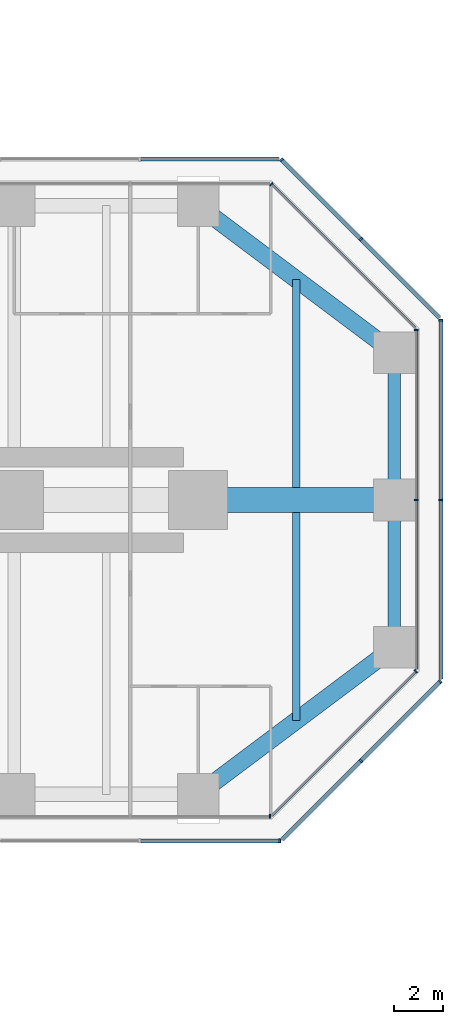
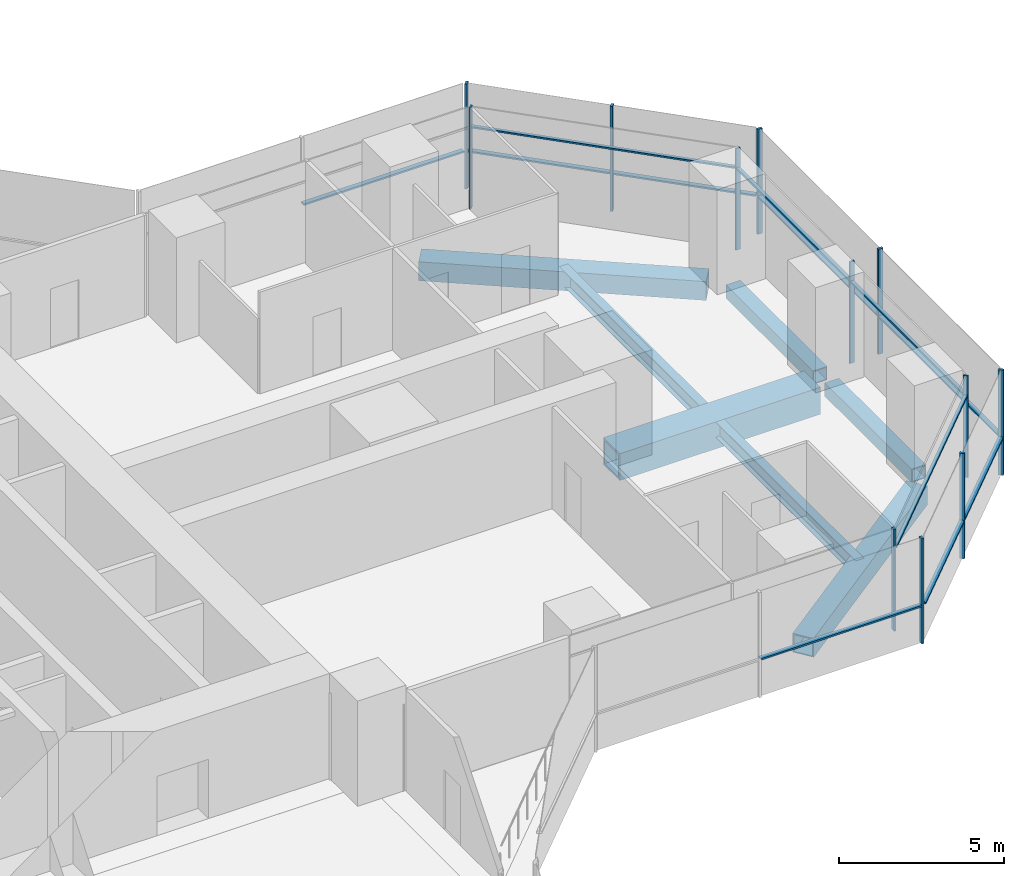
# One storey, part 12 of 21: 24 members, 7 beams, 9 elements without a shape of their own.
"""IFC4 building model written with IfcOpenShell, lengths in metres."""

import ifcopenshell
import ifcopenshell.guid

model = None  # the IFC model being written
_history = None  # IfcOwnerHistory: only IFC2X3 demands one
_inside = {}  # id of a spatial element -> (the spatial element, [elements in it])
_under = {}  # id of a project, library or spatial element -> (it, [spatial elements below it])
_declared = {}  # id of a project -> (the project, [libraries it declares])
_typed = {}  # id of a type object -> (the type object, [elements of that type])
_made_of = {}  # id of a material, layer set ... -> (it, [elements and type objects made of it])


def new_model(schema):
    """Start an empty IFC model of exactly this schema.

    Asked for "IFC4X3", IfcOpenShell would pick the latest addendum, in which some entities
    have other attributes; the version numbers below select the first issue.
    IFC2X3 requires an IfcOwnerHistory on every rooted entity: one is made here for all.
    """
    global model, _history
    if schema == "IFC4X3":
        model = ifcopenshell.file(schema_version=(4, 3, 0, 0))
    else:
        model = ifcopenshell.file(schema=schema)
    _inside.clear()
    _under.clear()
    _declared.clear()
    _typed.clear()
    _made_of.clear()
    _history = None
    if model.schema == "IFC2X3":
        org = make("IfcOrganization", Name="unknown")
        user = make(
            "IfcPersonAndOrganization",
            ThePerson=make("IfcPerson", FamilyName="unknown"),
            TheOrganization=org,
        )
        app = make(
            "IfcApplication",
            ApplicationDeveloper=org,
            Version="unknown",
            ApplicationFullName="unknown",
            ApplicationIdentifier="unknown",
        )
        _history = make(
            "IfcOwnerHistory",
            OwningUser=user,
            OwningApplication=app,
            ChangeAction="ADDED",
            CreationDate=0,
        )
    return model


def make(cls, **values):
    """One entity of the class cls with the attributes given. An attribute that is None is left unset."""
    return model.create_entity(
        cls, **{name: value for name, value in values.items() if value is not None}
    )


def rooted(cls, **values):
    """An entity with a GlobalId (a new one), such as an element, a storey or a relation."""
    return make(cls, GlobalId=ifcopenshell.guid.new(), OwnerHistory=_history, **values)


def si_unit(unit_type, name, prefix=None):
    """IfcSIUnit, for example si_unit("LENGTHUNIT", "METRE", prefix="MILLI")."""
    return make("IfcSIUnit", UnitType=unit_type, Prefix=prefix, Name=name)


def assignment(units):
    """IfcUnitAssignment: the units of a project."""
    return None if units is None else make("IfcUnitAssignment", Units=units)


def point(xyz):
    """IfcCartesianPoint."""
    return None if xyz is None else make("IfcCartesianPoint", Coordinates=xyz)


def direction(xyz):
    """IfcDirection."""
    return None if xyz is None else make("IfcDirection", DirectionRatios=xyz)


def frame(location, z_axis=None, x_axis=None):
    """IfcAxis2Placement3D, a coordinate frame: its origin and axes. An axis left out is left unset."""
    return make(
        "IfcAxis2Placement3D",
        Location=point(location),
        Axis=direction(z_axis),
        RefDirection=direction(x_axis),
    )


def frame_2d(location, x_axis=None):
    """IfcAxis2Placement2D, a coordinate frame in the plane: its origin and x axis."""
    return make(
        "IfcAxis2Placement2D", Location=point(location), RefDirection=direction(x_axis)
    )


def origin():
    """The frame at (0, 0, 0) with its axes left unset."""
    return frame((0.0, 0.0, 0.0))


def origin_2d():
    """The frame at (0, 0) in the plane with its x axis left unset."""
    return frame_2d((0.0, 0.0))


def place(relative_to, where):
    """IfcLocalPlacement: puts the frame where relative to a parent placement (None: the world)."""
    return make(
        "IfcLocalPlacement", PlacementRelTo=relative_to, RelativePlacement=where
    )


def context(
    kind, dimensions, precision=None, world=None, true_north=None, identifier=None
):
    """IfcGeometricRepresentationContext, for example the 3D "Model" context."""
    return make(
        "IfcGeometricRepresentationContext",
        ContextIdentifier=identifier,
        ContextType=kind,
        CoordinateSpaceDimension=dimensions,
        Precision=precision,
        WorldCoordinateSystem=world,
        TrueNorth=true_north,
    )


def subcontext(parent, identifier, kind, view, scale=None):
    """IfcGeometricRepresentationSubContext, for example "Body" below "Model"."""
    return make(
        "IfcGeometricRepresentationSubContext",
        ContextIdentifier=identifier,
        ContextType=kind,
        ParentContext=parent,
        TargetScale=scale,
        TargetView=view,
    )


def project(units=None, contexts=None):
    """IfcProject with its units and contexts."""
    return rooted(
        "IfcProject",
        Name="project",
        RepresentationContexts=contexts,
        UnitsInContext=assignment(units),
    )


def spatial(cls, under=None, at=None, **own):
    """A site, building, storey or space (cls), placed at a placement, below another one or the project."""
    s = rooted(cls, ObjectPlacement=at, **own)
    if under is not None:
        _under.setdefault(under.id(), (under, []))[1].append(s)
    return s


def profile(cls, at=None, kind="AREA", **sizes):
    """A parametric profile (cls). Its sizes go by their IFC names, for example OverallWidth=200.0."""
    return make(cls, ProfileType=kind, Position=at, **sizes)


def rectangle(**sizes):
    """IfcRectangleProfileDef."""
    return profile("IfcRectangleProfileDef", **sizes)


def hollow_rectangle(**sizes):
    """IfcRectangleHollowProfileDef."""
    return profile("IfcRectangleHollowProfileDef", **sizes)


def i_section(**sizes):
    """IfcIShapeProfileDef."""
    return profile("IfcIShapeProfileDef", **sizes)


def extrude(swept, where, along, depth):
    """IfcExtrudedAreaSolid: the profile swept, set in the frame where, extruded along a direction by depth."""
    return make(
        "IfcExtrudedAreaSolid",
        SweptArea=swept,
        Position=where,
        ExtrudedDirection=direction(along),
        Depth=depth,
    )


def shape(context_of_items, identifier, shape_type, items):
    """IfcShapeRepresentation: the items that make up one representation, for example the "Body"."""
    return make(
        "IfcShapeRepresentation",
        ContextOfItems=context_of_items,
        RepresentationIdentifier=identifier,
        RepresentationType=shape_type,
        Items=items,
    )


def material(Name=None, Category=None):
    """IfcMaterial."""
    return make("IfcMaterial", Name=Name, Category=Category)


def material_profile(
    of_material, cross_section, Name=None, Category=None, Priority=None
):
    """IfcMaterialProfile: a cross section and its material."""
    return make(
        "IfcMaterialProfile",
        Name=Name,
        Material=of_material,
        Profile=cross_section,
        Priority=Priority,
        Category=Category,
    )


def profile_set(profiles, Name=None, composite=None):
    """IfcMaterialProfileSet."""
    return make(
        "IfcMaterialProfileSet",
        Name=Name,
        MaterialProfiles=profiles,
        CompositeProfile=composite,
    )


def made_of(thing, what):
    """Note that an element or type object is made of a material, layer set ...; save() writes the relation."""
    if what is not None:
        _made_of.setdefault(what.id(), (what, []))[1].append(thing)
    return thing


def type_object(cls, material=None, **own):
    """A type object (cls), such as IfcWallType, which elements share."""
    return made_of(rooted(cls, **own), material)


def element(
    cls,
    number,
    at=None,
    inside=None,
    cuts=None,
    type_object=None,
    material=None,
    context=None,
    identifier="Body",
    shape_type=None,
    held_by="IfcProductDefinitionShape",
    body=None,
    shapes=None,
    **own,
):
    """One element of the class cls, such as IfcWall. Its Tag is "e" and its number.

    at: its placement. inside: the storey or other place that contains it. cuts: it is an
    opening in that element (IfcRelVoidsElement). A single representation is given by context,
    identifier, shape_type and body (its items); several are given by shapes. held_by: the class
    of the entity that holds the representations. save() writes the other relations.
    """
    e = rooted(cls, Tag="e%d" % number, ObjectPlacement=at, **own)
    if body is not None:
        shapes = [shape(context, identifier, shape_type, body)]
    if shapes is not None:
        e.Representation = make(held_by, Representations=shapes)
    if inside is not None:
        _inside.setdefault(inside.id(), (inside, []))[1].append(e)
    if cuts is not None:
        rooted(
            "IfcRelVoidsElement", RelatingBuildingElement=cuts, RelatedOpeningElement=e
        )
    if type_object is not None:
        _typed.setdefault(type_object.id(), (type_object, []))[1].append(e)
    return made_of(e, material)


def aggregate(whole, parts):
    """IfcRelAggregates: a whole, such as a stair, and the parts it consists of."""
    return rooted("IfcRelAggregates", RelatingObject=whole, RelatedObjects=parts)


def save(model, path):
    """Write the relations noted so far, then the file.

    IfcRelAggregates (storeys below a building ...), IfcRelContainedInSpatialStructure (elements
    in a storey), IfcRelDefinesByType, IfcRelAssociatesMaterial and IfcRelDeclares: one each for
    every whole, place, type object, material and project.
    """
    for whole, parts in _under.values():
        aggregate(whole, parts)
    for where, things in _inside.values():
        rooted(
            "IfcRelContainedInSpatialStructure",
            RelatedElements=things,
            RelatingStructure=where,
        )
    for kind, things in _typed.values():
        rooted("IfcRelDefinesByType", RelatedObjects=things, RelatingType=kind)
    for what, things in _made_of.values():
        rooted("IfcRelAssociatesMaterial", RelatedObjects=things, RelatingMaterial=what)
    for by, libraries in _declared.values():
        rooted("IfcRelDeclares", RelatingContext=by, RelatedDefinitions=libraries)
    model.write(path)


model = new_model("IFC4")

# Units and contexts
model_context = context("Model", 3, precision=1e-05, world=origin(), true_north=direction((0.0, 1.0)))
body_context = subcontext(model_context, "Body", "Model", "MODEL_VIEW")
ifc_project = project(units=[si_unit("LENGTHUNIT", "METRE"), si_unit("AREAUNIT", "SQUARE_METRE"), si_unit("VOLUMEUNIT", "CUBIC_METRE"), si_unit("PLANEANGLEUNIT", "RADIAN"), si_unit("MASSUNIT", "GRAM", prefix="KILO")], contexts=[model_context])

# Site, building, storey
site_placement = place(None, origin())
site = spatial("IfcSite", under=ifc_project, at=site_placement, CompositionType="ELEMENT")
building_placement = place(site_placement, origin())
building = spatial("IfcBuilding", under=site, at=building_placement, Name="Mizan Broadcast Tower", CompositionType="ELEMENT")
storey_placement = place(building_placement, frame((0.0, 0.0, 124.199951171875)))
storey = spatial("IfcBuildingStorey", under=building, at=storey_placement, Name="L27", CompositionType="ELEMENT", Elevation=124.199951171875)

# Beams
ifc_material_1 = material(Name="Steel S355", Category="steel")
ifc_material_profile_1 = material_profile(ifc_material_1, hollow_rectangle(XDim=0.5, YDim=0.5, WallThickness=0.030029296875, at=origin_2d()), Name="BOX 500x500x30")
ifc_profile_set_1 = profile_set([ifc_material_profile_1], Name="Steel S355")
beam_type_1 = type_object("IfcBeamType", Name="EDGE BEAM BOX 500x500x30", PredefinedType="SPANDREL", material=ifc_profile_set_1)
for number, where, z_axis, x_axis, name in (
    (1, (35.0, -5.639892578125, -0.3798828125), (0.0, 1.0, 0.0), (-1.0, 0.0, 0.0), "Edge beam BOX 500x500x30 L27 east arm"),
    (2, (35.0, 5.639892578125, -0.3798828125), (0.0, -1.0, 0.0), (1.0, 0.0, 0.0), "Edge beam BOX 500x500x30 L27 east arm"),
):
    element("IfcBeam", number, at=place(storey_placement, frame(where, z_axis=z_axis, x_axis=x_axis)), inside=storey, type_object=beam_type_1, Name=name, PredefinedType="SPANDREL", context=body_context, shape_type="SweptSolid", body=[
        extrude(hollow_rectangle(XDim=0.5, YDim=0.5, WallThickness=0.030029296875, at=origin_2d()), origin(), (0.0, 0.0, 1.0), 5.27978515625),
    ])
ifc_material_2 = material(Name="Steel S355", Category="steel")
ifc_material_profile_2 = material_profile(ifc_material_2, hollow_rectangle(XDim=0.699951171875, YDim=0.699951171875, WallThickness=0.0400390625, at=origin_2d()), Name="BOX 700x700x40")
ifc_profile_set_2 = profile_set([ifc_material_profile_2], Name="Steel S355")
beam_type_2 = type_object("IfcBeamType", Name="EDGE BEAM BOX 700x700x40", PredefinedType="SPANDREL", material=ifc_profile_set_2)
for number, where, z_axis, x_axis, name in (
    (3, (27.47998046875, -11.639892578125, -0.47998046875), (0.800013316712, 0.599982243973, 0.0), (-0.599982243973, 0.800013316712, 0.0), "Edge beam BOX 700x700x40 L27 east arm"),
    (4, (27.47998046875, 11.639892578125, -0.47998046875), (0.800013316712, -0.599982243973, 0.0), (0.599982243973, 0.800013316712, 0.0), "Edge beam BOX 700x700x40 L27 east arm"),
):
    element("IfcBeam", number, at=place(storey_placement, frame(where, z_axis=z_axis, x_axis=x_axis)), inside=storey, type_object=beam_type_2, Name=name, PredefinedType="SPANDREL", context=body_context, shape_type="SweptSolid", body=[
        extrude(hollow_rectangle(XDim=0.699951171875, YDim=0.699951171875, WallThickness=0.0400390625, at=origin_2d()), origin(), (0.0, 0.0, 1.0), 8.7998046875),
    ])
ifc_material_3 = material(Name="Steel S460", Category="steel")
ifc_material_profile_3 = material_profile(ifc_material_3, hollow_rectangle(XDim=1.0, YDim=1.0, WallThickness=0.080078125, at=origin_2d()), Name="BOX 1000x1000x80")
ifc_profile_set_3 = profile_set([ifc_material_profile_3], Name="Steel S460")
beam_type_3 = type_object("IfcBeamType", Name="GIRDER BOX 1000x1000x80", PredefinedType="BEAM", material=ifc_profile_set_3)
beam_placement = place(storey_placement, frame((27.47998046875, 0.0, -0.6298828125), z_axis=(1.0, 0.0, 0.0), x_axis=(0.0, 1.0, 0.0)))
element("IfcBeam", 5, at=beam_placement, inside=storey, type_object=beam_type_3, Name="Girder BOX 1000x1000x80 L27 east arm", PredefinedType="BEAM", context=body_context, shape_type="SweptSolid", body=[
    extrude(hollow_rectangle(XDim=1.0, YDim=1.0, WallThickness=0.080078125, at=origin_2d()), origin(), (0.0, 0.0, 1.0), 7.0400390625),
])

# Curtain wall, member
ifc_material_4 = material(Name="Aluminium framed glazing", Category="aluminium")
curtain_wall_type_1 = type_object("IfcCurtainWallType", Name="INNER SKIN MID ZONE", PredefinedType="USERDEFINED", material=ifc_material_4)
curtain_wall_1_placement = place(storey_placement, origin())
curtain_wall_1 = element("IfcCurtainWall", 6, at=curtain_wall_1_placement, inside=storey, type_object=curtain_wall_type_1, Name="Inner skin mid zone L27 E side", ObjectType="INNER SKIN MID ZONE", PredefinedType="USERDEFINED")
ifc_material_5 = material(Name="Aluminium, pale anodised", Category="aluminium")
ifc_material_profile_4 = material_profile(ifc_material_5, rectangle(XDim=0.159912109375, YDim=0.06005859375, at=origin_2d()), Name="MULLION 160x60")
ifc_profile_set_4 = profile_set([ifc_material_profile_4], Name="Aluminium, pale anodised")
member_type_1 = type_object("IfcMemberType", Name="INNER SKIN MULLION 60x160", PredefinedType="MULLION", material=ifc_profile_set_4)
member_1_placement = place(storey_placement, frame((29.928466796875, -12.89990234375, 0.0), z_axis=(0.0, 0.0, 1.0), x_axis=(0.0, 1.0, 0.0)))
member_1 = element("IfcMember", 7, at=member_1_placement, type_object=member_type_1, Name="Inner skin mid zone L27 E side mullion 3", PredefinedType="MULLION", context=body_context, shape_type="SweptSolid", body=[
    extrude(rectangle(XDim=0.159912109375, YDim=0.06005859375, at=origin_2d()), origin(), (0.0, 0.0, 1.0), 3.77001953125),
])
aggregate(curtain_wall_1, [member_1])

curtain_wall_2_placement = place(storey_placement, origin())
curtain_wall_2 = element("IfcCurtainWall", 8, at=curtain_wall_2_placement, inside=storey, type_object=curtain_wall_type_1, Name="Inner skin mid zone L27 E chamfer", ObjectType="INNER SKIN MID ZONE", PredefinedType="USERDEFINED")
member_2_placement = place(storey_placement, frame((35.87890625, -6.979736328125, 0.0), z_axis=(0.0, 0.0, 1.0), x_axis=(-0.707106781187, 0.707106781187, 0.0)))
member_2 = element("IfcMember", 9, at=member_2_placement, type_object=member_type_1, Name="Inner skin mid zone L27 E chamfer mullion 2", PredefinedType="MULLION", context=body_context, shape_type="SweptSolid", body=[
    extrude(rectangle(XDim=0.159912109375, YDim=0.06005859375, at=origin_2d()), origin(), (0.0, 0.0, 1.0), 3.77001953125),
])

# Curtain wall, members
curtain_wall_3_placement = place(storey_placement, origin())
curtain_wall_3 = element("IfcCurtainWall", 10, at=curtain_wall_3_placement, inside=storey, type_object=curtain_wall_type_1, Name="Inner skin mid zone L27 E end", ObjectType="INNER SKIN MID ZONE", PredefinedType="USERDEFINED")
member_3_placement = place(storey_placement, frame((35.89990234375, 0.0, 0.0), z_axis=(0.0, 0.0, 1.0), x_axis=(-1.0, 0.0, 0.0)))
member_3 = element("IfcMember", 11, at=member_3_placement, type_object=member_type_1, Name="Inner skin mid zone L27 E end mullion 2", PredefinedType="MULLION", context=body_context, shape_type="SweptSolid", body=[
    extrude(rectangle(XDim=0.159912109375, YDim=0.06005859375, at=origin_2d()), origin(), (0.0, 0.0, 1.0), 3.77001953125),
])
member_4_placement = place(storey_placement, frame((35.89990234375, 6.928466796875, 0.0), z_axis=(0.0, 0.0, 1.0), x_axis=(-1.0, 0.0, 0.0)))
member_4 = element("IfcMember", 12, at=member_4_placement, type_object=member_type_1, Name="Inner skin mid zone L27 E end mullion 3", PredefinedType="MULLION", context=body_context, shape_type="SweptSolid", body=[
    extrude(rectangle(XDim=0.159912109375, YDim=0.06005859375, at=origin_2d()), origin(), (0.0, 0.0, 1.0), 3.77001953125),
])

# Curtain wall, member
curtain_wall_4_placement = place(storey_placement, origin())
curtain_wall_4 = element("IfcCurtainWall", 13, at=curtain_wall_4_placement, inside=storey, type_object=curtain_wall_type_1, Name="Inner skin mid zone L27 E chamfer", ObjectType="INNER SKIN MID ZONE", PredefinedType="USERDEFINED")
member_5_placement = place(storey_placement, frame((29.979736328125, 12.87890625, 0.0), z_axis=(0.0, 0.0, 1.0), x_axis=(-0.707106781187, -0.707106781187, 0.0)))
member_5 = element("IfcMember", 14, at=member_5_placement, type_object=member_type_1, Name="Inner skin mid zone L27 E chamfer mullion 2", PredefinedType="MULLION", context=body_context, shape_type="SweptSolid", body=[
    extrude(rectangle(XDim=0.159912109375, YDim=0.06005859375, at=origin_2d()), origin(), (0.0, 0.0, 1.0), 3.77001953125),
])

# Member
ifc_material_6 = material(Name="Aluminium, pale anodised", Category="aluminium")
ifc_material_profile_5 = material_profile(ifc_material_6, rectangle(XDim=0.1201171875, YDim=0.06005859375, at=origin_2d()), Name="TRANSOM 120x60")
ifc_profile_set_5 = profile_set([ifc_material_profile_5], Name="Aluminium, pale anodised")
member_type_2 = type_object("IfcMemberType", Name="INNER SKIN TRANSOM 60x120", PredefinedType="USERDEFINED", material=ifc_profile_set_5)
member_6_placement = place(storey_placement, frame((30.0009765625, -12.857666015625, 3.030029296875), z_axis=(0.707106781187, 0.707106781187, 0.0), x_axis=(-0.707106781187, 0.707106781187, 0.0)))
member_6 = element("IfcMember", 15, at=member_6_placement, type_object=member_type_2, Name="Inner skin mid zone L27 E chamfer transom 1.1", ObjectType="TRANSOM", PredefinedType="USERDEFINED", context=body_context, shape_type="SweptSolid", body=[
    extrude(rectangle(XDim=0.1201171875, YDim=0.06005859375, at=origin_2d()), origin(), (0.0, 0.0, 1.0), 8.28271484375),
])

aggregate(curtain_wall_2, [member_2, member_6])

member_7_placement = place(storey_placement, frame((35.89990234375, -6.898681640625, 3.030029296875), z_axis=(0.0, 1.0, 0.0), x_axis=(-1.0, 0.0, 0.0)))
member_7 = element("IfcMember", 16, at=member_7_placement, type_object=member_type_2, Name="Inner skin mid zone L27 E end transom 1.1", ObjectType="TRANSOM", PredefinedType="USERDEFINED", context=body_context, shape_type="SweptSolid", body=[
    extrude(rectangle(XDim=0.1201171875, YDim=0.06005859375, at=origin_2d()), origin(), (0.0, 0.0, 1.0), 6.86865234375),
])

member_8_placement = place(storey_placement, frame((35.89990234375, 0.030029296875, 3.030029296875), z_axis=(0.0, 1.0, 0.0), x_axis=(-1.0, 0.0, 0.0)))
member_8 = element("IfcMember", 17, at=member_8_placement, type_object=member_type_2, Name="Inner skin mid zone L27 E end transom 2.1", ObjectType="TRANSOM", PredefinedType="USERDEFINED", context=body_context, shape_type="SweptSolid", body=[
    extrude(rectangle(XDim=0.1201171875, YDim=0.06005859375, at=origin_2d()), origin(), (0.0, 0.0, 1.0), 6.86865234375),
])

aggregate(curtain_wall_3, [member_3, member_4, member_7, member_8])

member_9_placement = place(storey_placement, frame((35.857666015625, 7.0009765625, 3.030029296875), z_axis=(-0.707106781187, 0.707106781187, 0.0), x_axis=(-0.707106781187, -0.707106781187, 0.0)))
member_9 = element("IfcMember", 18, at=member_9_placement, type_object=member_type_2, Name="Inner skin mid zone L27 E chamfer transom 1.1", ObjectType="TRANSOM", PredefinedType="USERDEFINED", context=body_context, shape_type="SweptSolid", body=[
    extrude(rectangle(XDim=0.1201171875, YDim=0.06005859375, at=origin_2d()), origin(), (0.0, 0.0, 1.0), 8.28271484375),
])

aggregate(curtain_wall_4, [member_5, member_9])

# Curtain wall, members
ifc_material_7 = material(Name="Aluminium framed glazing", Category="aluminium")
curtain_wall_type_2 = type_object("IfcCurtainWallType", Name="OUTER SKIN", PredefinedType="USERDEFINED", material=ifc_material_7)
curtain_wall_5_placement = place(storey_placement, origin())
curtain_wall_5 = element("IfcCurtainWall", 19, at=curtain_wall_5_placement, inside=storey, type_object=curtain_wall_type_2, Name="Outer skin L27 E chamfer", ObjectType="OUTER SKIN", PredefinedType="USERDEFINED")
ifc_material_8 = material(Name="Aluminium, pale anodised", Category="aluminium")
ifc_material_profile_6 = material_profile(ifc_material_8, rectangle(XDim=0.159912109375, YDim=0.080078125, at=origin_2d()), Name="MULLION 160x80")
ifc_profile_set_6 = profile_set([ifc_material_profile_6], Name="Aluminium, pale anodised")
member_type_3 = type_object("IfcMemberType", Name="OUTER SKIN MULLION 80x160", PredefinedType="MULLION", material=ifc_profile_set_6)
member_10_placement = place(storey_placement, frame((33.636474609375, -10.636474609375, 0.0), z_axis=(0.0, 0.0, 1.0), x_axis=(-0.707106781187, 0.707106781187, 0.0)))
member_10 = element("IfcMember", 20, at=member_10_placement, type_object=member_type_3, Name="Outer skin L27 E chamfer mullion 2", PredefinedType="MULLION", context=body_context, shape_type="SweptSolid", body=[
    extrude(rectangle(XDim=0.159912109375, YDim=0.080078125, at=origin_2d()), origin(), (0.0, 0.0, 1.0), 3.900146484375),
])
member_11_placement = place(storey_placement, frame((36.871826171875, -7.401123046875, 0.0), z_axis=(0.0, 0.0, 1.0), x_axis=(-0.707106781187, 0.707106781187, 0.0)))
member_11 = element("IfcMember", 21, at=member_11_placement, type_object=member_type_3, Name="Outer skin L27 E chamfer mullion 3", PredefinedType="MULLION", context=body_context, shape_type="SweptSolid", body=[
    extrude(rectangle(XDim=0.159912109375, YDim=0.080078125, at=origin_2d()), origin(), (0.0, 0.0, 1.0), 3.900146484375),
])

curtain_wall_6_placement = place(storey_placement, origin())
curtain_wall_6 = element("IfcCurtainWall", 22, at=curtain_wall_6_placement, inside=storey, type_object=curtain_wall_type_2, Name="Outer skin L27 E end", ObjectType="OUTER SKIN", PredefinedType="USERDEFINED")
member_12_placement = place(storey_placement, frame((36.89990234375, 0.0, 0.0), z_axis=(0.0, 0.0, 1.0), x_axis=(-1.0, 0.0, 0.0)))
member_12 = element("IfcMember", 23, at=member_12_placement, type_object=member_type_3, Name="Outer skin L27 E end mullion 2", PredefinedType="MULLION", context=body_context, shape_type="SweptSolid", body=[
    extrude(rectangle(XDim=0.159912109375, YDim=0.080078125, at=origin_2d()), origin(), (0.0, 0.0, 1.0), 3.900146484375),
])
member_13_placement = place(storey_placement, frame((36.89990234375, 7.332763671875, 0.0), z_axis=(0.0, 0.0, 1.0), x_axis=(-1.0, 0.0, 0.0)))
member_13 = element("IfcMember", 24, at=member_13_placement, type_object=member_type_3, Name="Outer skin L27 E end mullion 3", PredefinedType="MULLION", context=body_context, shape_type="SweptSolid", body=[
    extrude(rectangle(XDim=0.159912109375, YDim=0.080078125, at=origin_2d()), origin(), (0.0, 0.0, 1.0), 3.900146484375),
])

curtain_wall_7_placement = place(storey_placement, origin())
curtain_wall_7 = element("IfcCurtainWall", 25, at=curtain_wall_7_placement, inside=storey, type_object=curtain_wall_type_2, Name="Outer skin L27 E chamfer", ObjectType="OUTER SKIN", PredefinedType="USERDEFINED")
member_14_placement = place(storey_placement, frame((33.636474609375, 10.636474609375, 0.0), z_axis=(0.0, 0.0, 1.0), x_axis=(-0.707106781187, -0.707106781187, 0.0)))
member_14 = element("IfcMember", 26, at=member_14_placement, type_object=member_type_3, Name="Outer skin L27 E chamfer mullion 2", PredefinedType="MULLION", context=body_context, shape_type="SweptSolid", body=[
    extrude(rectangle(XDim=0.159912109375, YDim=0.080078125, at=origin_2d()), origin(), (0.0, 0.0, 1.0), 3.900146484375),
])
member_15_placement = place(storey_placement, frame((30.401123046875, 13.871826171875, 0.0), z_axis=(0.0, 0.0, 1.0), x_axis=(-0.707106781187, -0.707106781187, 0.0)))
member_15 = element("IfcMember", 27, at=member_15_placement, type_object=member_type_3, Name="Outer skin L27 E chamfer mullion 3", PredefinedType="MULLION", context=body_context, shape_type="SweptSolid", body=[
    extrude(rectangle(XDim=0.159912109375, YDim=0.080078125, at=origin_2d()), origin(), (0.0, 0.0, 1.0), 3.900146484375),
])

# Curtain wall, member
curtain_wall_8_placement = place(storey_placement, origin())
curtain_wall_8 = element("IfcCurtainWall", 28, at=curtain_wall_8_placement, inside=storey, type_object=curtain_wall_type_2, Name="Outer skin L27 E side", ObjectType="OUTER SKIN", PredefinedType="USERDEFINED")
member_16_placement = place(storey_placement, frame((30.332763671875, -13.89990234375, 0.0), z_axis=(0.0, 0.0, 1.0), x_axis=(0.0, 1.0, 0.0)))
member_16 = element("IfcMember", 29, at=member_16_placement, type_object=member_type_3, Name="Outer skin L27 E side mullion 3", PredefinedType="MULLION", context=body_context, shape_type="SweptSolid", body=[
    extrude(rectangle(XDim=0.159912109375, YDim=0.080078125, at=origin_2d()), origin(), (0.0, 0.0, 1.0), 3.900146484375),
])

# Member
ifc_material_9 = material(Name="Aluminium, pale anodised", Category="aluminium")
ifc_material_profile_7 = material_profile(ifc_material_9, rectangle(XDim=0.159912109375, YDim=0.06005859375, at=origin_2d()), Name="TRANSOM 160x60")
ifc_profile_set_7 = profile_set([ifc_material_profile_7], Name="Aluminium, pale anodised")
member_type_4 = type_object("IfcMemberType", Name="OUTER SKIN TRANSOM 60x160", PredefinedType="USERDEFINED", material=ifc_profile_set_7)
member_17_placement = place(storey_placement, frame((30.429443359375, -13.843505859375, 1.400146484375), z_axis=(0.707106781187, 0.707106781187, 0.0), x_axis=(-0.707106781187, 0.707106781187, 0.0)))
member_17 = element("IfcMember", 30, at=member_17_placement, type_object=member_type_4, Name="Outer skin L27 E chamfer transom 1.1", ObjectType="TRANSOM", PredefinedType="USERDEFINED", context=body_context, shape_type="SweptSolid", body=[
    extrude(rectangle(XDim=0.159912109375, YDim=0.06005859375, at=origin_2d()), origin(), (0.0, 0.0, 1.0), 4.495361328125),
])

member_18_placement = place(storey_placement, frame((33.664794921875, -10.608154296875, 1.400146484375), z_axis=(0.707106781187, 0.707106781187, 0.0), x_axis=(-0.707106781187, 0.707106781187, 0.0)))
member_18 = element("IfcMember", 31, at=member_18_placement, type_object=member_type_4, Name="Outer skin L27 E chamfer transom 2.1", ObjectType="TRANSOM", PredefinedType="USERDEFINED", context=body_context, shape_type="SweptSolid", body=[
    extrude(rectangle(XDim=0.159912109375, YDim=0.06005859375, at=origin_2d()), origin(), (0.0, 0.0, 1.0), 4.495361328125),
])

aggregate(curtain_wall_5, [member_10, member_11, member_17, member_18])

member_19_placement = place(storey_placement, frame((36.89990234375, -7.292724609375, 1.400146484375), z_axis=(0.0, 1.0, 0.0), x_axis=(-1.0, 0.0, 0.0)))
member_19 = element("IfcMember", 32, at=member_19_placement, type_object=member_type_4, Name="Outer skin L27 E end transom 1.1", ObjectType="TRANSOM", PredefinedType="USERDEFINED", context=body_context, shape_type="SweptSolid", body=[
    extrude(rectangle(XDim=0.159912109375, YDim=0.06005859375, at=origin_2d()), origin(), (0.0, 0.0, 1.0), 7.252685546875),
])

member_20_placement = place(storey_placement, frame((36.89990234375, 0.0400390625, 1.400146484375), z_axis=(0.0, 1.0, 0.0), x_axis=(-1.0, 0.0, 0.0)))
member_20 = element("IfcMember", 33, at=member_20_placement, type_object=member_type_4, Name="Outer skin L27 E end transom 2.1", ObjectType="TRANSOM", PredefinedType="USERDEFINED", context=body_context, shape_type="SweptSolid", body=[
    extrude(rectangle(XDim=0.159912109375, YDim=0.06005859375, at=origin_2d()), origin(), (0.0, 0.0, 1.0), 7.252685546875),
])

aggregate(curtain_wall_6, [member_12, member_13, member_19, member_20])

member_21_placement = place(storey_placement, frame((36.843505859375, 7.429443359375, 1.400146484375), z_axis=(-0.707106781187, 0.707106781187, 0.0), x_axis=(-0.707106781187, -0.707106781187, 0.0)))
member_21 = element("IfcMember", 34, at=member_21_placement, type_object=member_type_4, Name="Outer skin L27 E chamfer transom 1.1", ObjectType="TRANSOM", PredefinedType="USERDEFINED", context=body_context, shape_type="SweptSolid", body=[
    extrude(rectangle(XDim=0.159912109375, YDim=0.06005859375, at=origin_2d()), origin(), (0.0, 0.0, 1.0), 4.495361328125),
])

member_22_placement = place(storey_placement, frame((33.608154296875, 10.664794921875, 1.400146484375), z_axis=(-0.707106781187, 0.707106781187, 0.0), x_axis=(-0.707106781187, -0.707106781187, 0.0)))
member_22 = element("IfcMember", 35, at=member_22_placement, type_object=member_type_4, Name="Outer skin L27 E chamfer transom 2.1", ObjectType="TRANSOM", PredefinedType="USERDEFINED", context=body_context, shape_type="SweptSolid", body=[
    extrude(rectangle(XDim=0.159912109375, YDim=0.06005859375, at=origin_2d()), origin(), (0.0, 0.0, 1.0), 4.495361328125),
])

aggregate(curtain_wall_7, [member_14, member_15, member_21, member_22])

# Curtain wall, member
curtain_wall_9_placement = place(storey_placement, origin())
curtain_wall_9 = element("IfcCurtainWall", 36, at=curtain_wall_9_placement, inside=storey, type_object=curtain_wall_type_2, Name="Outer skin L27 E side", ObjectType="OUTER SKIN", PredefinedType="USERDEFINED")
member_23_placement = place(storey_placement, frame((30.292724609375, 13.89990234375, 1.400146484375), z_axis=(-1.0, 0.0, 0.0), x_axis=(0.0, -1.0, 0.0)))
member_23 = element("IfcMember", 37, at=member_23_placement, type_object=member_type_4, Name="Outer skin L27 E side transom 1.1", ObjectType="TRANSOM", PredefinedType="USERDEFINED", context=body_context, shape_type="SweptSolid", body=[
    extrude(rectangle(XDim=0.159912109375, YDim=0.06005859375, at=origin_2d()), origin(), (0.0, 0.0, 1.0), 5.6298828125),
])
aggregate(curtain_wall_9, [member_23])

# Member
member_24_placement = place(storey_placement, frame((24.662841796875, -13.89990234375, 1.400146484375), z_axis=(1.0, 0.0, 0.0), x_axis=(0.0, 1.0, 0.0)))
member_24 = element("IfcMember", 38, at=member_24_placement, type_object=member_type_4, Name="Outer skin L27 E side transom 2.1", ObjectType="TRANSOM", PredefinedType="USERDEFINED", context=body_context, shape_type="SweptSolid", body=[
    extrude(rectangle(XDim=0.159912109375, YDim=0.06005859375, at=origin_2d()), origin(), (0.0, 0.0, 1.0), 5.6298828125),
])

aggregate(curtain_wall_8, [member_16, member_24])

# Beams
ifc_material_10 = material(Name="Steel S355", Category="steel")
ifc_material_profile_8 = material_profile(ifc_material_10, i_section(OverallWidth=0.300048828125, OverallDepth=0.590087890625, WebThickness=0.012939453125, FlangeThickness=0.02490234375, FilletRadius=0.027099609375, at=origin_2d()), Name="HEA 600")
ifc_profile_set_8 = profile_set([ifc_material_profile_8], Name="Steel S355")
beam_type_4 = type_object("IfcBeamType", Name="SECONDARY BEAM HEA 600", PredefinedType="JOIST", material=ifc_profile_set_8)
for number, where, z_axis, x_axis, name in (
    (39, (31.0, -9.0, -0.425048828125), (0.0, 1.0, 0.0), (-1.0, 0.0, 0.0), "Secondary beam HEA 600 L27 east arm"),
    (40, (31.0, 9.0, -0.425048828125), (0.0, -1.0, 0.0), (1.0, 0.0, 0.0), "Secondary beam HEA 600 L27 east arm"),
):
    element("IfcBeam", number, at=place(storey_placement, frame(where, z_axis=z_axis, x_axis=x_axis)), inside=storey, type_object=beam_type_4, Name=name, PredefinedType="JOIST", context=body_context, shape_type="SweptSolid", body=[
        extrude(i_section(OverallWidth=0.300048828125, OverallDepth=0.590087890625, WebThickness=0.012939453125, FlangeThickness=0.02490234375, FilletRadius=0.027099609375, at=origin_2d()), origin(), (0.0, 0.0, 1.0), 8.5),
    ])

save(model, "model.ifc")
